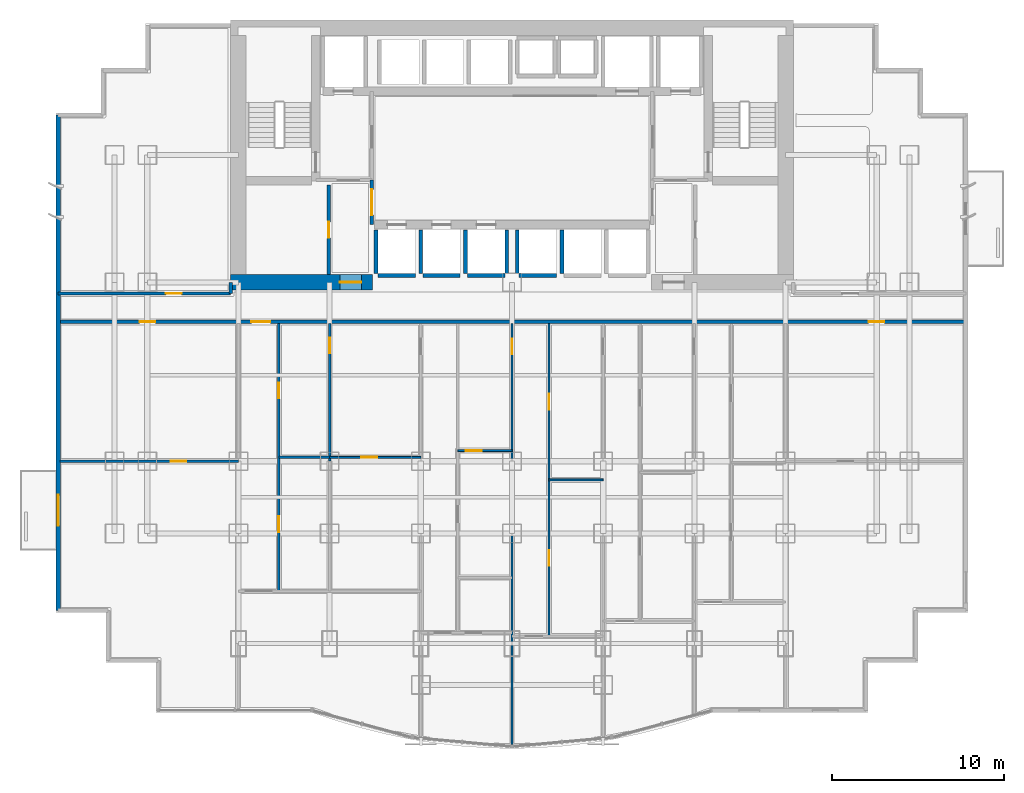
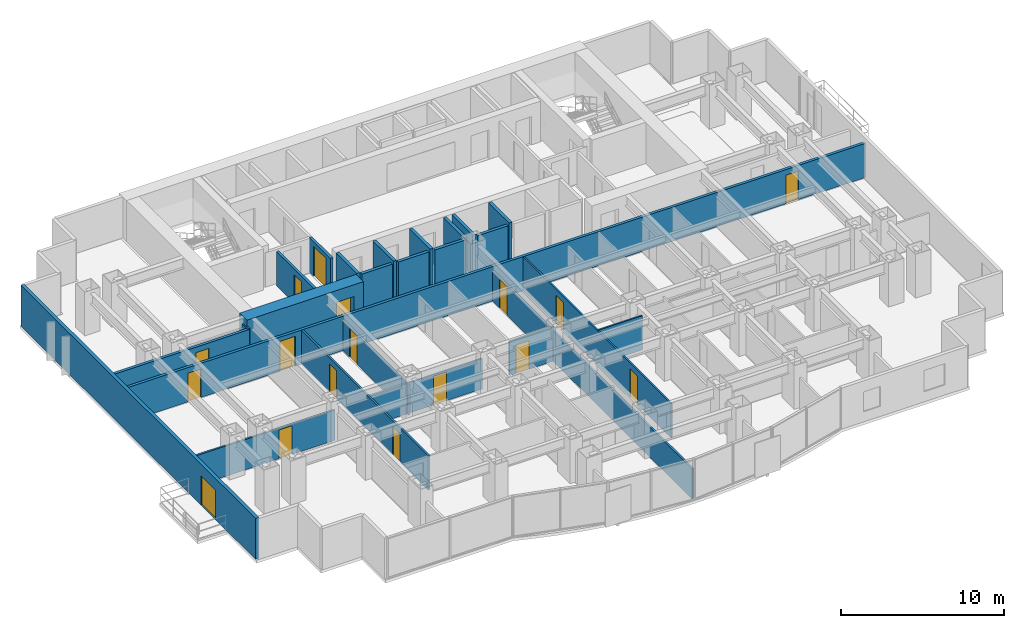
# One storey, part 5 of 10: 26 walls, 17 doors, 17 openings.
"""IFC4 building model written with IfcOpenShell, lengths in metres."""

from ifc_helpers import new_model, si_unit, direction, frame, frame_2d, origin, place, context, subcontext, project, spatial, rectangle, extrude, material, layer, layer_set, type_object, element, fill, save


model = new_model("IFC4")

# Units and contexts
model_context = context("Model", 3, precision=1e-05, world=origin(), true_north=direction((0.0, 1.0)))
body_context = subcontext(model_context, "Body", "Model", "MODEL_VIEW")
ifc_project = project(units=[si_unit("LENGTHUNIT", "METRE"), si_unit("AREAUNIT", "SQUARE_METRE"), si_unit("VOLUMEUNIT", "CUBIC_METRE"), si_unit("PLANEANGLEUNIT", "RADIAN"), si_unit("MASSUNIT", "GRAM", prefix="KILO")], contexts=[model_context])

# Site, building, storey
site_placement = place(None, origin())
site = spatial("IfcSite", under=ifc_project, at=site_placement, CompositionType="ELEMENT")
building_placement = place(site_placement, origin())
building = spatial("IfcBuilding", under=site, at=building_placement, Name="Qianlan Lanfeng Residences", CompositionType="ELEMENT")
storey_placement = place(building_placement, frame((0.0, 0.0, 60.5)))
storey = spatial("IfcBuildingStorey", under=building, at=storey_placement, Name="L16", CompositionType="ELEMENT", Elevation=60.5)

# Wall, opening, door
ifc_material_1 = material(Name="Concrete C70", Category="concrete")
ifc_layer_1 = layer(ifc_material_1, 0.89990234375)
ifc_layer_set_1 = layer_set([ifc_layer_1], Name="Concrete C70")
wall_type_1 = type_object("IfcWallType", Name="CW-RC-900", PredefinedType="SHEAR", material=ifc_layer_set_1)
wall_1_placement = place(storey_placement, frame((10.14990234375, 25.199951171875, 0.0), z_axis=(0.0, 0.0, 1.0), x_axis=(1.0, 0.0, 0.0)))
wall_1 = element("IfcWall", 1, at=wall_1_placement, inside=storey, type_object=wall_type_1, Name="L16 Core Shear Wall SW", PredefinedType="SHEAR", context=body_context, shape_type="SweptSolid", body=[
    extrude(rectangle(XDim=8.25, YDim=0.89990234375, at=frame_2d((4.125, 0.0))), origin(), (0.0, 0.0, 1.0), 3.080078125),
])
opening_1_placement = place(wall_1_placement, frame((6.35009765625, 0.0, 0.0)))
opening_1 = element("IfcOpeningElement", 2, at=opening_1_placement, cuts=wall_1, Name="Opening L16-D01", PredefinedType="OPENING", context=body_context, shape_type="SweptSolid", body=[
    extrude(rectangle(XDim=1.25, YDim=2.199951171875, at=frame_2d((0.625, 1.10009765625))), frame((0.0, 0.4599609375, 0.0), z_axis=(0.0, -1.0, 0.0), x_axis=(1.0, 0.0, 0.0)), (0.0, 0.0, 1.0), 0.919921875),
])
ifc_material_2 = material(Name="Painted Galvanised Steel Fire Door", Category="steel")
door_type_1 = type_object("IfcDoorType", Name="DT-FFL", OperationType="NOTDEFINED", PredefinedType="DOOR", material=ifc_material_2)
door_1_placement = place(opening_1_placement, frame((1.25, 0.0, 0.0), z_axis=(0.0, 0.0, 1.0), x_axis=(-1.0, 0.0, 0.0)))
door_1 = element("IfcDoor", 3, at=door_1_placement, inside=storey, type_object=door_type_1, Name="L16 West Core Lobby Smoke Door L16-D01 (DT-FFL)", OperationType="SINGLE_SWING_RIGHT", OverallHeight=2.199951171875, OverallWidth=1.25, PredefinedType="DOOR", context=body_context, shape_type="SweptSolid", body=[
    extrude(rectangle(XDim=1.25, YDim=2.199951171875, at=frame_2d((0.625, 1.10009765625))), frame((0.0, 0.02490234375, 0.0), z_axis=(0.0, -1.0, 0.0), x_axis=(1.0, 0.0, 0.0)), (0.0, 0.0, 1.0), 0.050048828125),
])
fill(opening_1, door_1)

ifc_material_3 = material(Name="Concrete C42", Category="concrete")
ifc_layer_2 = layer(ifc_material_3, 0.239990234375)
ifc_layer_set_2 = layer_set([ifc_layer_2], Name="Concrete C42")
wall_type_2 = type_object("IfcWallType", Name="EW-240", PredefinedType="SOLIDWALL", material=ifc_layer_set_2)
wall_2_placement = place(storey_placement, frame((0.1201171875, 34.929931640625, 0.0), z_axis=(0.0, 0.0, 1.0), x_axis=(0.0, -1.0, 0.0)))
wall_2 = element("IfcWall", 4, at=wall_2_placement, inside=storey, type_object=wall_type_2, Name="L16 Terrace/Balcony Access Exterior Wall 21", PredefinedType="SOLIDWALL", context=body_context, shape_type="SweptSolid", body=[
    extrude(rectangle(XDim=28.809814453125, YDim=0.239990234375, at=frame_2d((14.40478515625, 0.0))), origin(), (0.0, 0.0, 1.0), 3.080078125),
])
opening_2_placement = place(wall_2_placement, frame((22.080078125, 0.0, 0.0)))
opening_2 = element("IfcOpeningElement", 5, at=opening_2_placement, cuts=wall_2, Name="Opening L16-D-WB-S", PredefinedType="OPENING", context=body_context, shape_type="SweptSolid", body=[
    extrude(rectangle(XDim=1.800048828125, YDim=2.199951171875, at=frame_2d((0.89990234375, 1.10009765625))), frame((0.0, 0.1298828125, 0.0), z_axis=(0.0, -1.0, 0.0), x_axis=(1.0, 0.0, 0.0)), (0.0, 0.0, 1.0), 0.260009765625),
])
ifc_material_4 = material(Name="Anodised Bronze Aluminium Framed Glass", Category="aluminium")
door_type_2 = type_object("IfcDoorType", Name="DT-BAL1", OperationType="NOTDEFINED", PredefinedType="DOOR", material=ifc_material_4)
door_2_placement = place(opening_2_placement, frame((1.800048828125, 0.0, 0.0), z_axis=(0.0, 0.0, 1.0), x_axis=(-1.0, 0.0, 0.0)))
door_2 = element("IfcDoor", 6, at=door_2_placement, inside=storey, type_object=door_type_2, Name="L16 Exterior Access Door WB-S", OperationType="DOUBLE_DOOR_SLIDING", OverallHeight=2.199951171875, OverallWidth=1.800048828125, PredefinedType="DOOR", context=body_context, shape_type="SweptSolid", body=[
    extrude(rectangle(XDim=1.800048828125, YDim=2.199951171875, at=frame_2d((0.89990234375, 1.10009765625))), frame((0.0, 0.02490234375, 0.0), z_axis=(0.0, -1.0, 0.0), x_axis=(1.0, 0.0, 0.0)), (0.0, 0.0, 1.0), 0.050048828125),
])
fill(opening_2, door_2)

ifc_material_5 = material(Name="Demountable Acoustic Framing Partition 110 mm")
ifc_layer_3 = layer(ifc_material_5, 0.110107421875)
ifc_layer_set_3 = layer_set([ifc_layer_3], Name="Demountable Acoustic Framing Partition 110 mm")
wall_type_3 = type_object("IfcWallType", Name="PW-110", PredefinedType="MOVABLE", material=ifc_layer_set_3)
wall_3_placement = place(storey_placement, frame((15.89990234375, 15.02392578125, 0.0), z_axis=(0.0, 0.0, 1.0), x_axis=(1.0, 0.0, 0.0)))
wall_3 = element("IfcWall", 7, at=wall_3_placement, inside=storey, type_object=wall_type_3, Name="L16 U01 Study Split", PredefinedType="MOVABLE", context=body_context, shape_type="SweptSolid", body=[
    extrude(rectangle(XDim=5.300048828125, YDim=0.110107421875, at=frame_2d((2.64990234375, 0.0))), origin(), (0.0, 0.0, 1.0), 2.27490234375),
])
opening_3_placement = place(wall_3_placement, frame((1.840087890625, 0.0, 0.0)))
opening_3 = element("IfcOpeningElement", 8, at=opening_3_placement, cuts=wall_3, Name="Opening L16-D22", PredefinedType="OPENING", context=body_context, shape_type="SweptSolid", body=[
    extrude(rectangle(XDim=0.919921875, YDim=2.14990234375, at=frame_2d((0.4599609375, 1.074951171875))), frame((0.0, 0.06494140625, 0.0), z_axis=(0.0, -1.0, 0.0), x_axis=(1.0, 0.0, 0.0)), (0.0, 0.0, 1.0), 0.130126953125),
])
ifc_material_6 = material(Name="Glazed Timber Kitchen/Study Door", Category="wood")
door_type_3 = type_object("IfcDoorType", Name="DT-INT", OperationType="NOTDEFINED", PredefinedType="DOOR", material=ifc_material_6)
door_3_placement = place(opening_3_placement, origin())
door_3 = element("IfcDoor", 9, at=door_3_placement, inside=storey, type_object=door_type_3, Name="L16 U01 Study Inner Door L16-D22 (DT-INT)", OperationType="SINGLE_SWING_RIGHT", OverallHeight=2.14990234375, OverallWidth=0.919921875, PredefinedType="DOOR", context=body_context, shape_type="SweptSolid", body=[
    extrude(rectangle(XDim=0.919921875, YDim=2.14990234375, at=frame_2d((0.4599609375, 1.074951171875))), frame((0.0, 0.02490234375, 0.0), z_axis=(0.0, -1.0, 0.0), x_axis=(1.0, 0.0, 0.0)), (0.0, 0.0, 1.0), 0.050048828125),
])
fill(opening_3, door_3)

wall_4_placement = place(storey_placement, frame((23.35009765625, 15.4169921875, 0.0), z_axis=(0.0, 0.0, 1.0), x_axis=(1.0, 0.0, 0.0)))
wall_4 = element("IfcWall", 10, at=wall_4_placement, inside=storey, type_object=wall_type_3, Name="L16 U01 Wardrobe Split", PredefinedType="MOVABLE", context=body_context, shape_type="SweptSolid", body=[
    extrude(rectangle(XDim=3.14990234375, YDim=0.110107421875, at=frame_2d((1.574951171875, 0.0))), origin(), (0.0, 0.0, 1.0), 2.570068359375),
])
opening_4_placement = place(wall_4_placement, frame((0.465087890625, 0.0, 0.0)))
opening_4 = element("IfcOpeningElement", 11, at=opening_4_placement, cuts=wall_4, Name="Opening L16-D26", PredefinedType="OPENING", context=body_context, shape_type="SweptSolid", body=[
    extrude(rectangle(XDim=0.919921875, YDim=2.14990234375, at=frame_2d((0.4599609375, 1.074951171875))), frame((0.0, 0.06494140625, 0.0), z_axis=(0.0, -1.0, 0.0), x_axis=(1.0, 0.0, 0.0)), (0.0, 0.0, 1.0), 0.130126953125),
])
door_4_placement = place(opening_4_placement, origin())
door_4 = element("IfcDoor", 12, at=door_4_placement, inside=storey, type_object=door_type_3, Name="L16 U01 Dressing Inner Door L16-D26 (DT-INT)", OperationType="SINGLE_SWING_RIGHT", OverallHeight=2.14990234375, OverallWidth=0.919921875, PredefinedType="DOOR", context=body_context, shape_type="SweptSolid", body=[
    extrude(rectangle(XDim=0.919921875, YDim=2.14990234375, at=frame_2d((0.4599609375, 1.074951171875))), frame((0.0, 0.02490234375, 0.0), z_axis=(0.0, -1.0, 0.0), x_axis=(1.0, 0.0, 0.0)), (0.0, 0.0, 1.0), 0.050048828125),
])
fill(opening_4, door_4)

# Wall, openings, doors
wall_5_placement = place(storey_placement, frame((28.64990234375, 4.634033203125, 0.0), z_axis=(0.0, 0.0, 1.0), x_axis=(0.0, 1.0, 0.0)))
wall_5 = element("IfcWall", 13, at=wall_5_placement, inside=storey, type_object=wall_type_3, Name="L16 U01 Bedroom 3 Hall Wall", PredefinedType="MOVABLE", context=body_context, shape_type="SweptSolid", body=[
    extrude(rectangle(XDim=18.166015625, YDim=0.110107421875, at=frame_2d((9.0830078125, 0.0))), origin(), (0.0, 0.0, 1.0), 2.570068359375),
])
opening_5_placement = place(wall_5_placement, frame((4.08203125, 0.0, 0.0)))
opening_5 = element("IfcOpeningElement", 14, at=opening_5_placement, cuts=wall_5, Name="Opening L16-D28", PredefinedType="OPENING", context=body_context, shape_type="SweptSolid", body=[
    extrude(rectangle(XDim=0.919921875, YDim=2.14990234375, at=frame_2d((0.4599609375, 1.074951171875))), frame((0.0, 0.06494140625, 0.0), z_axis=(0.0, -1.0, 0.0), x_axis=(1.0, 0.0, 0.0)), (0.0, 0.0, 1.0), 0.130126953125),
])
opening_6_placement = place(wall_5_placement, frame((13.1650390625, 0.0, 0.0)))
opening_6 = element("IfcOpeningElement", 15, at=opening_6_placement, cuts=wall_5, Name="Opening L16-D29", PredefinedType="OPENING", context=body_context, shape_type="SweptSolid", body=[
    extrude(rectangle(XDim=0.919921875, YDim=2.14990234375, at=frame_2d((0.4599609375, 1.074951171875))), frame((0.0, 0.06494140625, 0.0), z_axis=(0.0, -1.0, 0.0), x_axis=(1.0, 0.0, 0.0)), (0.0, 0.0, 1.0), 0.130126953125),
])
door_5_placement = place(opening_5_placement, origin())
door_5 = element("IfcDoor", 16, at=door_5_placement, inside=storey, type_object=door_type_3, Name="L16 U01 Utility Door L16-D28 (DT-INT)", OperationType="SINGLE_SWING_RIGHT", OverallHeight=2.14990234375, OverallWidth=0.919921875, PredefinedType="DOOR", context=body_context, shape_type="SweptSolid", body=[
    extrude(rectangle(XDim=0.919921875, YDim=2.14990234375, at=frame_2d((0.4599609375, 1.074951171875))), frame((0.0, 0.02490234375, 0.0), z_axis=(0.0, -1.0, 0.0), x_axis=(1.0, 0.0, 0.0)), (0.0, 0.0, 1.0), 0.050048828125),
])
fill(opening_5, door_5)
door_6_placement = place(opening_6_placement, origin())
door_6 = element("IfcDoor", 17, at=door_6_placement, inside=storey, type_object=door_type_3, Name="L16 U01 Specialty Door L16-D29 (DT-INT)", OperationType="SINGLE_SWING_LEFT", OverallHeight=2.14990234375, OverallWidth=0.919921875, PredefinedType="DOOR", context=body_context, shape_type="SweptSolid", body=[
    extrude(rectangle(XDim=0.919921875, YDim=2.14990234375, at=frame_2d((0.4599609375, 1.074951171875))), frame((0.0, 0.02490234375, 0.0), z_axis=(0.0, -1.0, 0.0), x_axis=(1.0, 0.0, 0.0)), (0.0, 0.0, 1.0), 0.050048828125),
])
fill(opening_6, door_6)

# Wall
wall_6_placement = place(storey_placement, frame((28.64990234375, 13.717041015625, 0.0), z_axis=(0.0, 0.0, 1.0), x_axis=(1.0, 0.0, 0.0)))
element("IfcWall", 18, at=wall_6_placement, inside=storey, type_object=wall_type_3, Name="L16 U01 Specialty Split Wall", PredefinedType="MOVABLE", context=body_context, shape_type="SweptSolid", body=[
    extrude(rectangle(XDim=3.150146484375, YDim=0.110107421875, at=frame_2d((1.5751953125, 0.0))), origin(), (0.0, 0.0, 1.0), 2.570068359375),
])

# Wall, opening, door
ifc_material_7 = material(Name="Moisture-Resistant Gypsum Partition 135 mm")
ifc_layer_4 = layer(ifc_material_7, 0.135009765625)
ifc_layer_set_4 = layer_set([ifc_layer_4], Name="Moisture-Resistant Gypsum Partition 135 mm")
wall_type_4 = type_object("IfcWallType", Name="PW-135", PredefinedType="PARTITIONING", material=ifc_layer_set_4)
wall_7_placement = place(storey_placement, frame((15.89990234375, 14.800048828125, 0.0), z_axis=(0.0, 0.0, 1.0), x_axis=(0.0, 1.0, 0.0)))
wall_7 = element("IfcWall", 19, at=wall_7_placement, inside=storey, type_object=wall_type_4, Name="L16 U01 North Spine Wall", PredefinedType="PARTITIONING", context=body_context, shape_type="SweptSolid", body=[
    extrude(rectangle(XDim=8.0, YDim=0.135009765625, at=frame_2d((4.0, 0.0))), origin(), (0.0, 0.0, 1.0), 2.27490234375),
])
opening_7_placement = place(wall_7_placement, frame((6.264892578125, 0.0, 0.0)))
opening_7 = element("IfcOpeningElement", 20, at=opening_7_placement, cuts=wall_7, Name="Opening L16-D14", PredefinedType="OPENING", context=body_context, shape_type="SweptSolid", body=[
    extrude(rectangle(XDim=0.919921875, YDim=2.14990234375, at=frame_2d((0.4599609375, 1.074951171875))), frame((0.0, 0.07763671875, 0.0), z_axis=(0.0, -1.0, 0.0), x_axis=(1.0, 0.0, 0.0)), (0.0, 0.0, 1.0), 0.155029296875),
])
door_7_placement = place(opening_7_placement, origin())
door_7 = element("IfcDoor", 21, at=door_7_placement, inside=storey, type_object=door_type_3, Name="L16 U01 North Suite Door L16-D14 (DT-INT)", OperationType="SINGLE_SWING_RIGHT", OverallHeight=2.14990234375, OverallWidth=0.919921875, PredefinedType="DOOR", context=body_context, shape_type="SweptSolid", body=[
    extrude(rectangle(XDim=0.919921875, YDim=2.14990234375, at=frame_2d((0.4599609375, 1.074951171875))), frame((0.0, 0.02490234375, 0.0), z_axis=(0.0, -1.0, 0.0), x_axis=(1.0, 0.0, 0.0)), (0.0, 0.0, 1.0), 0.050048828125),
])
fill(opening_7, door_7)

wall_8_placement = place(storey_placement, frame((26.5, -1.679931640625, 0.0), z_axis=(0.0, 0.0, 1.0), x_axis=(0.0, 1.0, 0.0)))
wall_8 = element("IfcWall", 22, at=wall_8_placement, inside=storey, type_object=wall_type_4, Name="L16 U01 Bay Spine Wall 3", PredefinedType="PARTITIONING", context=body_context, shape_type="SweptSolid", body=[
    extrude(rectangle(XDim=24.47998046875, YDim=0.135009765625, at=frame_2d((12.239990234375, 0.0))), origin(), (0.0, 0.0, 1.0), 2.27490234375),
])
opening_8_placement = place(wall_8_placement, frame((22.695068359375, 0.0, 0.0)))
opening_8 = element("IfcOpeningElement", 23, at=opening_8_placement, cuts=wall_8, Name="Opening L16-D16", PredefinedType="OPENING", context=body_context, shape_type="SweptSolid", body=[
    extrude(rectangle(XDim=0.919921875, YDim=2.14990234375, at=frame_2d((0.4599609375, 1.074951171875))), frame((0.0, 0.07763671875, 0.0), z_axis=(0.0, -1.0, 0.0), x_axis=(1.0, 0.0, 0.0)), (0.0, 0.0, 1.0), 0.155029296875),
])
door_8_placement = place(opening_8_placement, origin())
door_8 = element("IfcDoor", 24, at=door_8_placement, inside=storey, type_object=door_type_3, Name="L16 U01 Internal Hall Door L16-D16 (DT-INT)", OperationType="SINGLE_SWING_RIGHT", OverallHeight=2.14990234375, OverallWidth=0.919921875, PredefinedType="DOOR", context=body_context, shape_type="SweptSolid", body=[
    extrude(rectangle(XDim=0.919921875, YDim=2.14990234375, at=frame_2d((0.4599609375, 1.074951171875))), frame((0.0, 0.02490234375, 0.0), z_axis=(0.0, -1.0, 0.0), x_axis=(1.0, 0.0, 0.0)), (0.0, 0.0, 1.0), 0.050048828125),
])
fill(opening_8, door_8)

# Wall, openings, doors
wall_9_placement = place(storey_placement, frame((12.949951171875, 7.2470703125, 0.0), z_axis=(0.0, 0.0, 1.0), x_axis=(0.0, 1.0, 0.0)))
wall_9 = element("IfcWall", 25, at=wall_9_placement, inside=storey, type_object=wall_type_4, Name="L16 U01 Kitchen/Bath Wall", PredefinedType="PARTITIONING", context=body_context, shape_type="SweptSolid", body=[
    extrude(rectangle(XDim=15.552978515625, YDim=0.135009765625, at=frame_2d((7.7763671875, 0.0))), origin(), (0.0, 0.0, 1.0), 2.570068359375),
])
opening_9_placement = place(wall_9_placement, frame((3.428955078125, 0.0, 0.0)))
opening_9 = element("IfcOpeningElement", 26, at=opening_9_placement, cuts=wall_9, Name="Opening L16-D20", PredefinedType="OPENING", context=body_context, shape_type="SweptSolid", body=[
    extrude(rectangle(XDim=0.919921875, YDim=2.14990234375, at=frame_2d((0.4599609375, 1.074951171875))), frame((0.0, 0.07763671875, 0.0), z_axis=(0.0, -1.0, 0.0), x_axis=(1.0, 0.0, 0.0)), (0.0, 0.0, 1.0), 0.155029296875),
])
opening_10_placement = place(wall_9_placement, frame((11.215087890625, 0.0, 0.0)))
opening_10 = element("IfcOpeningElement", 27, at=opening_10_placement, cuts=wall_9, Name="Opening L16-D21", PredefinedType="OPENING", context=body_context, shape_type="SweptSolid", body=[
    extrude(rectangle(XDim=0.89990234375, YDim=2.14990234375, at=frame_2d((0.449951171875, 1.074951171875))), frame((0.0, 0.07763671875, 0.0), z_axis=(0.0, -1.0, 0.0), x_axis=(1.0, 0.0, 0.0)), (0.0, 0.0, 1.0), 0.155029296875),
])
door_9_placement = place(opening_9_placement, origin())
door_9 = element("IfcDoor", 28, at=door_9_placement, inside=storey, type_object=door_type_3, Name="L16 U01 Kitchen Door L16-D20 (DT-INT)", OperationType="SINGLE_SWING_RIGHT", OverallHeight=2.14990234375, OverallWidth=0.919921875, PredefinedType="DOOR", context=body_context, shape_type="SweptSolid", body=[
    extrude(rectangle(XDim=0.919921875, YDim=2.14990234375, at=frame_2d((0.4599609375, 1.074951171875))), frame((0.0, 0.02490234375, 0.0), z_axis=(0.0, -1.0, 0.0), x_axis=(1.0, 0.0, 0.0)), (0.0, 0.0, 1.0), 0.050048828125),
])
fill(opening_9, door_9)
ifc_material_8 = material(Name="Moisture-Resistant Timber Leaf", Category="wood")
door_type_4 = type_object("IfcDoorType", Name="DT-WC", OperationType="NOTDEFINED", PredefinedType="DOOR", material=ifc_material_8)
door_10_placement = place(opening_10_placement, origin())
door_10 = element("IfcDoor", 29, at=door_10_placement, inside=storey, type_object=door_type_4, Name="L16 U01 Bathroom Door L16-D21 (DT-WC)", OperationType="SINGLE_SWING_LEFT", OverallHeight=2.14990234375, OverallWidth=0.89990234375, PredefinedType="DOOR", context=body_context, shape_type="SweptSolid", body=[
    extrude(rectangle(XDim=0.89990234375, YDim=2.14990234375, at=frame_2d((0.449951171875, 1.074951171875))), frame((0.0, 0.02490234375, 0.0), z_axis=(0.0, -1.0, 0.0), x_axis=(1.0, 0.0, 0.0)), (0.0, 0.0, 1.0), 0.050048828125),
])
fill(opening_10, door_10)

# Wall
wall_10_placement = place(storey_placement, frame((12.949951171875, 15.02392578125, 0.0), z_axis=(0.0, 0.0, 1.0), x_axis=(1.0, 0.0, 0.0)))
element("IfcWall", 30, at=wall_10_placement, inside=storey, type_object=wall_type_4, Name="L16 U01 Bath Split Wall", PredefinedType="PARTITIONING", context=body_context, shape_type="SweptSolid", body=[
    extrude(rectangle(XDim=2.949951171875, YDim=0.135009765625, at=frame_2d((1.47509765625, 0.0))), origin(), (0.0, 0.0, 1.0), 2.27490234375),
])

# Wall, opening, door
wall_11_placement = place(storey_placement, frame((0.219970703125, 14.800048828125, 0.0), z_axis=(0.0, 0.0, 1.0), x_axis=(1.0, 0.0, 0.0)))
wall_11 = element("IfcWall", 31, at=wall_11_placement, inside=storey, type_object=wall_type_4, Name="L16 SWP Mid Partition", PredefinedType="PARTITIONING", context=body_context, shape_type="SweptSolid", body=[
    extrude(rectangle(XDim=10.380126953125, YDim=0.135009765625, at=frame_2d((5.18994140625, 0.0))), origin(), (0.0, 0.0, 1.0), 2.27490234375),
])
opening_11_placement = place(wall_11_placement, frame((6.429931640625, 0.0, 0.0)))
opening_11 = element("IfcOpeningElement", 32, at=opening_11_placement, cuts=wall_11, Name="Opening L16-D36", PredefinedType="OPENING", context=body_context, shape_type="SweptSolid", body=[
    extrude(rectangle(XDim=0.919921875, YDim=2.14990234375, at=frame_2d((0.4599609375, 1.074951171875))), frame((0.0, 0.07763671875, 0.0), z_axis=(0.0, -1.0, 0.0), x_axis=(1.0, 0.0, 0.0)), (0.0, 0.0, 1.0), 0.155029296875),
])
door_11_placement = place(opening_11_placement, origin())
door_11 = element("IfcDoor", 33, at=door_11_placement, inside=storey, type_object=door_type_3, Name="L16 SWP Inner Door L16-D36 (DT-INT)", OperationType="SINGLE_SWING_RIGHT", OverallHeight=2.14990234375, OverallWidth=0.919921875, PredefinedType="DOOR", context=body_context, shape_type="SweptSolid", body=[
    extrude(rectangle(XDim=0.919921875, YDim=2.14990234375, at=frame_2d((0.4599609375, 1.074951171875))), frame((0.0, 0.02490234375, 0.0), z_axis=(0.0, -1.0, 0.0), x_axis=(1.0, 0.0, 0.0)), (0.0, 0.0, 1.0), 0.050048828125),
])
fill(opening_11, door_11)

ifc_material_9 = material(Name="Double-Layer Acoustic Gypsum Stud Wall 180 mm")
ifc_layer_5 = layer(ifc_material_9, 0.179931640625)
ifc_layer_set_5 = layer_set([ifc_layer_5], Name="Double-Layer Acoustic Gypsum Stud Wall 180 mm")
wall_type_5 = type_object("IfcWallType", Name="PW-180", PredefinedType="PARTITIONING", material=ifc_layer_set_5)
wall_12_placement = place(storey_placement, frame((15.85009765625, 25.64990234375, 0.0), z_axis=(0.0, 0.0, 1.0), x_axis=(0.0, 1.0, 0.0)))
wall_12 = element("IfcWall", 34, at=wall_12_placement, inside=storey, type_object=wall_type_5, Name="L16 Core West Service Room Wall", PredefinedType="PARTITIONING", context=body_context, shape_type="SweptSolid", body=[
    extrude(rectangle(XDim=5.2001953125, YDim=0.179931640625, at=frame_2d((2.60009765625, 0.0))), origin(), (0.0, 0.0, 1.0), 2.570068359375),
])
opening_12_placement = place(wall_12_placement, frame((2.139892578125, 0.0, 0.0)))
opening_12 = element("IfcOpeningElement", 35, at=opening_12_placement, cuts=wall_12, Name="Opening L16-D09", PredefinedType="OPENING", context=body_context, shape_type="SweptSolid", body=[
    extrude(rectangle(XDim=0.919921875, YDim=2.14990234375, at=frame_2d((0.4599609375, 1.074951171875))), frame((0.0, 0.10009765625, 0.0), z_axis=(0.0, -1.0, 0.0), x_axis=(1.0, 0.0, 0.0)), (0.0, 0.0, 1.0), 0.199951171875),
])
door_12_placement = place(opening_12_placement, origin())
door_12 = element("IfcDoor", 36, at=door_12_placement, inside=storey, type_object=door_type_3, Name="L16 Core Storage Door L16-D09 (DT-INT)", OperationType="SINGLE_SWING_LEFT", OverallHeight=2.14990234375, OverallWidth=0.919921875, PredefinedType="DOOR", context=body_context, shape_type="SweptSolid", body=[
    extrude(rectangle(XDim=0.919921875, YDim=2.14990234375, at=frame_2d((0.4599609375, 1.074951171875))), frame((0.0, 0.02490234375, 0.0), z_axis=(0.0, -1.0, 0.0), x_axis=(1.0, 0.0, 0.0)), (0.0, 0.0, 1.0), 0.050048828125),
])
fill(opening_12, door_12)

ifc_material_10 = material(Name="Autoclaved Aerated Concrete Blockwork 200 mm", Category="masonry")
ifc_layer_6 = layer(ifc_material_10, 0.199951171875)
ifc_layer_set_6 = layer_set([ifc_layer_6], Name="Autoclaved Aerated Concrete Blockwork 200 mm")
wall_type_6 = type_object("IfcWallType", Name="PW-200", PredefinedType="PARTITIONING", material=ifc_layer_set_6)
wall_13_placement = place(storey_placement, frame((18.35009765625, 28.550048828125, 0.0), z_axis=(0.0, 0.0, 1.0), x_axis=(0.0, 1.0, 0.0)))
wall_13 = element("IfcWall", 37, at=wall_13_placement, inside=storey, type_object=wall_type_6, Name="L16 Lift Lobby West Connector Wall", PredefinedType="PARTITIONING", context=body_context, shape_type="SweptSolid", body=[
    extrude(rectangle(XDim=2.599853515625, YDim=0.199951171875, at=frame_2d((1.2998046875, 0.0))), origin(), (0.0, 0.0, 1.0), 2.570068359375),
])
opening_13_placement = place(wall_13_placement, frame((0.550048828125, 0.0, 0.0)))
opening_13 = element("IfcOpeningElement", 38, at=opening_13_placement, cuts=wall_13, Name="Opening L16-D11", PredefinedType="OPENING", context=body_context, shape_type="SweptSolid", body=[
    extrude(rectangle(XDim=1.5, YDim=2.25, at=frame_2d((0.75, 1.125))), frame((0.0, 0.10986328125, 0.0), z_axis=(0.0, -1.0, 0.0), x_axis=(1.0, 0.0, 0.0)), (0.0, 0.0, 1.0), 0.219970703125),
])
ifc_material_11 = material(Name="Timber Veneer Acoustic Fire Door", Category="wood")
door_type_5 = type_object("IfcDoorType", Name="DT-COR1", OperationType="NOTDEFINED", PredefinedType="DOOR", material=ifc_material_11)
door_13_placement = place(opening_13_placement, origin())
door_13 = element("IfcDoor", 39, at=door_13_placement, inside=storey, type_object=door_type_5, Name="L16 Lift Lobby West Portal Door L16-D11 (DT-COR1)", OperationType="DOUBLE_DOOR_SINGLE_SWING", OverallHeight=2.25, OverallWidth=1.5, PredefinedType="DOOR", context=body_context, shape_type="SweptSolid", body=[
    extrude(rectangle(XDim=1.5, YDim=2.25, at=frame_2d((0.75, 1.125))), frame((0.0, 0.02490234375, 0.0), z_axis=(0.0, -1.0, 0.0), x_axis=(1.0, 0.0, 0.0)), (0.0, 0.0, 1.0), 0.050048828125),
])
fill(opening_13, door_13)

# Wall, openings, doors
wall_14_placement = place(storey_placement, frame((0.1201171875, 22.89990234375, 0.0), z_axis=(0.0, 0.0, 1.0), x_axis=(1.0, 0.0, 0.0)))
wall_14 = element("IfcWall", 40, at=wall_14_placement, inside=storey, type_object=wall_type_6, Name="L16 Residential Corridor South Fire Wall", PredefinedType="PARTITIONING", context=body_context, shape_type="SweptSolid", body=[
    extrude(rectangle(XDim=52.759765625, YDim=0.199951171875, at=frame_2d((26.3798828125, 0.0))), origin(), (0.0, 0.0, 1.0), 2.570068359375),
])
opening_14_placement = place(wall_14_placement, frame((11.22998046875, 0.0, 0.0)))
opening_14 = element("IfcOpeningElement", 41, at=opening_14_placement, cuts=wall_14, Name="Opening L16-D13", PredefinedType="OPENING", context=body_context, shape_type="SweptSolid", body=[
    extrude(rectangle(XDim=1.10009765625, YDim=2.25, at=frame_2d((0.550048828125, 1.125))), frame((0.0, 0.10986328125, 0.0), z_axis=(0.0, -1.0, 0.0), x_axis=(1.0, 0.0, 0.0)), (0.0, 0.0, 1.0), 0.219970703125),
])
opening_15_placement = place(wall_14_placement, frame((4.735107421875, 0.0, 0.0)))
opening_15 = element("IfcOpeningElement", 42, at=opening_15_placement, cuts=wall_14, Name="Opening L16-D37", PredefinedType="OPENING", context=body_context, shape_type="SweptSolid", body=[
    extrude(rectangle(XDim=0.919921875, YDim=2.14990234375, at=frame_2d((0.4599609375, 1.074951171875))), frame((0.0, 0.10986328125, 0.0), z_axis=(0.0, -1.0, 0.0), x_axis=(1.0, 0.0, 0.0)), (0.0, 0.0, 1.0), 0.219970703125),
])
opening_16_placement = place(wall_14_placement, frame((47.10498046875, 0.0, 0.0)))
opening_16 = element("IfcOpeningElement", 43, at=opening_16_placement, cuts=wall_14, Name="Opening L16-D39", PredefinedType="OPENING", context=body_context, shape_type="SweptSolid", body=[
    extrude(rectangle(XDim=0.919921875, YDim=2.14990234375, at=frame_2d((0.4599609375, 1.074951171875))), frame((0.0, 0.10986328125, 0.0), z_axis=(0.0, -1.0, 0.0), x_axis=(1.0, 0.0, 0.0)), (0.0, 0.0, 1.0), 0.219970703125),
])
door_14_placement = place(opening_15_placement, origin())
door_14 = element("IfcDoor", 44, at=door_14_placement, inside=storey, type_object=door_type_3, Name="L16 SWP Corridor Door L16-D37 (DT-INT)", OperationType="SINGLE_SWING_LEFT", OverallHeight=2.14990234375, OverallWidth=0.919921875, PredefinedType="DOOR", context=body_context, shape_type="SweptSolid", body=[
    extrude(rectangle(XDim=0.919921875, YDim=2.14990234375, at=frame_2d((0.4599609375, 1.074951171875))), frame((0.0, 0.02490234375, 0.0), z_axis=(0.0, -1.0, 0.0), x_axis=(1.0, 0.0, 0.0)), (0.0, 0.0, 1.0), 0.050048828125),
])
fill(opening_15, door_14)
door_15_placement = place(opening_16_placement, origin())
door_15 = element("IfcDoor", 45, at=door_15_placement, inside=storey, type_object=door_type_3, Name="L16 SEP Corridor Door L16-D39 (DT-INT)", OperationType="SINGLE_SWING_LEFT", OverallHeight=2.14990234375, OverallWidth=0.919921875, PredefinedType="DOOR", context=body_context, shape_type="SweptSolid", body=[
    extrude(rectangle(XDim=0.919921875, YDim=2.14990234375, at=frame_2d((0.4599609375, 1.074951171875))), frame((0.0, 0.02490234375, 0.0), z_axis=(0.0, -1.0, 0.0), x_axis=(1.0, 0.0, 0.0)), (0.0, 0.0, 1.0), 0.050048828125),
])
fill(opening_16, door_15)
ifc_material_12 = material(Name="Solid-Core Oak Veneer Fire Door")
door_type_6 = type_object("IfcDoorType", Name="DT-UNIT", OperationType="NOTDEFINED", PredefinedType="DOOR", material=ifc_material_12)
door_16_placement = place(opening_14_placement, frame((1.10009765625, 0.0, 0.0), z_axis=(0.0, 0.0, 1.0), x_axis=(-1.0, 0.0, 0.0)))
door_16 = element("IfcDoor", 46, at=door_16_placement, inside=storey, type_object=door_type_6, Name="L16 Apartment U01 Entrance Door L16-D13 (DT-UNIT)", OperationType="SINGLE_SWING_RIGHT", OverallHeight=2.25, OverallWidth=1.10009765625, PredefinedType="DOOR", context=body_context, shape_type="SweptSolid", body=[
    extrude(rectangle(XDim=1.10009765625, YDim=2.25, at=frame_2d((0.550048828125, 1.125))), frame((0.0, 0.02490234375, 0.0), z_axis=(0.0, -1.0, 0.0), x_axis=(1.0, 0.0, 0.0)), (0.0, 0.0, 1.0), 0.050048828125),
])
fill(opening_14, door_16)

# Wall, opening, door
wall_15_placement = place(storey_placement, frame((0.1201171875, 24.550048828125, 0.0), z_axis=(0.0, 0.0, 1.0), x_axis=(1.0, 0.0, 0.0)))
wall_15 = element("IfcWall", 47, at=wall_15_placement, inside=storey, type_object=wall_type_6, Name="L16 Corridor NW Wall", PredefinedType="PARTITIONING", context=body_context, shape_type="SweptSolid", body=[
    extrude(rectangle(XDim=10.02978515625, YDim=0.199951171875, at=frame_2d((5.014892578125, 0.0))), origin(), (0.0, 0.0, 1.0), 2.570068359375),
])
opening_17_placement = place(wall_15_placement, frame((6.2548828125, 0.0, 0.0)))
opening_17 = element("IfcOpeningElement", 48, at=opening_17_placement, cuts=wall_15, Name="Opening L16-D40", PredefinedType="OPENING", context=body_context, shape_type="SweptSolid", body=[
    extrude(rectangle(XDim=0.919921875, YDim=2.14990234375, at=frame_2d((0.4599609375, 1.074951171875))), frame((0.0, 0.10986328125, 0.0), z_axis=(0.0, -1.0, 0.0), x_axis=(1.0, 0.0, 0.0)), (0.0, 0.0, 1.0), 0.219970703125),
])
door_17_placement = place(opening_17_placement, origin())
door_17 = element("IfcDoor", 49, at=door_17_placement, inside=storey, type_object=door_type_3, Name="L16 WW Amenity Salon Door L16-D40 (DT-INT)", OperationType="SINGLE_SWING_RIGHT", OverallHeight=2.14990234375, OverallWidth=0.919921875, PredefinedType="DOOR", context=body_context, shape_type="SweptSolid", body=[
    extrude(rectangle(XDim=0.919921875, YDim=2.14990234375, at=frame_2d((0.4599609375, 1.074951171875))), frame((0.0, 0.02490234375, 0.0), z_axis=(0.0, -1.0, 0.0), x_axis=(1.0, 0.0, 0.0)), (0.0, 0.0, 1.0), 0.050048828125),
])
fill(opening_17, door_17)

# Walls
wall_16_placement = place(storey_placement, frame((10.14990234375, 24.550048828125, 0.0), z_axis=(0.0, 0.0, 1.0), x_axis=(0.0, 1.0, 0.0)))
element("IfcWall", 50, at=wall_16_placement, inside=storey, type_object=wall_type_6, Name="L16 NW Wing Core Return Wall", PredefinedType="PARTITIONING", context=body_context, shape_type="SweptSolid", body=[
    extrude(rectangle(XDim=0.64990234375, YDim=0.199951171875, at=frame_2d((0.324951171875, 0.0))), origin(), (0.0, 0.0, 1.0), 2.570068359375),
])
ifc_material_13 = material(Name="Concrete C49", Category="concrete")
ifc_layer_7 = layer(ifc_material_13, 0.219970703125)
ifc_layer_set_7 = layer_set([ifc_layer_7], Name="Concrete C49")
wall_type_7 = type_object("IfcWallType", Name="SHW-220", PredefinedType="SOLIDWALL", material=ifc_layer_set_7)
wall_17_placement = place(storey_placement, frame((18.60009765625, 25.719970703125, 0.0), z_axis=(0.0, 0.0, 1.0), x_axis=(0.0, 1.0, 0.0)))
element("IfcWall", 51, at=wall_17_placement, inside=storey, type_object=wall_type_7, Name="L16 Lift PL-L1 Shaft Wall W", PredefinedType="SOLIDWALL", context=body_context, shape_type="SweptSolid", body=[
    extrude(rectangle(XDim=2.530029296875, YDim=0.219970703125, at=frame_2d((1.26513671875, 0.0))), origin(), (0.0, 0.0, 1.0), 3.080078125),
])
wall_18_placement = place(storey_placement, frame((18.719970703125, 25.60009765625, 0.0), z_axis=(0.0, 0.0, 1.0), x_axis=(1.0, 0.0, 0.0)))
element("IfcWall", 52, at=wall_18_placement, inside=storey, type_object=wall_type_7, Name="L16 Lift PL-L1 Shaft Back Wall S", PredefinedType="SOLIDWALL", context=body_context, shape_type="SweptSolid", body=[
    extrude(rectangle(XDim=2.159912109375, YDim=0.219970703125, at=frame_2d((1.080078125, 0.0))), origin(), (0.0, 0.0, 1.0), 3.080078125),
])
wall_19_placement = place(storey_placement, frame((21.199951171875, 25.719970703125, 0.0), z_axis=(0.0, 0.0, 1.0), x_axis=(0.0, 1.0, 0.0)))
element("IfcWall", 53, at=wall_19_placement, inside=storey, type_object=wall_type_7, Name="L16 Lift PL-L2 Shaft Wall W", PredefinedType="SOLIDWALL", context=body_context, shape_type="SweptSolid", body=[
    extrude(rectangle(XDim=2.530029296875, YDim=0.219970703125, at=frame_2d((1.26513671875, 0.0))), origin(), (0.0, 0.0, 1.0), 3.080078125),
])
wall_20_placement = place(storey_placement, frame((21.320068359375, 25.60009765625, 0.0), z_axis=(0.0, 0.0, 1.0), x_axis=(1.0, 0.0, 0.0)))
element("IfcWall", 54, at=wall_20_placement, inside=storey, type_object=wall_type_7, Name="L16 Lift PL-L2 Shaft Back Wall S", PredefinedType="SOLIDWALL", context=body_context, shape_type="SweptSolid", body=[
    extrude(rectangle(XDim=2.159912109375, YDim=0.219970703125, at=frame_2d((1.080078125, 0.0))), origin(), (0.0, 0.0, 1.0), 3.080078125),
])
for number, where, z_axis, x_axis, name in (
    (55, (23.800048828125, 25.719970703125, 0.0), (0.0, 0.0, 1.0), (0.0, 1.0, 0.0), "L16 Lift PL-L3 Shaft Wall W"),
    (56, (26.199951171875, 25.719970703125, 0.0), (0.0, 0.0, 1.0), (0.0, 1.0, 0.0), "L16 Lift PL-L3 Shaft Wall E"),
):
    element("IfcWall", number, at=place(storey_placement, frame(where, z_axis=z_axis, x_axis=x_axis)), inside=storey, type_object=wall_type_7, Name=name, PredefinedType="SOLIDWALL", context=body_context, shape_type="SweptSolid", body=[
        extrude(rectangle(XDim=2.530029296875, YDim=0.219970703125, at=frame_2d((1.26513671875, 0.0))), origin(), (0.0, 0.0, 1.0), 3.080078125),
    ])
wall_21_placement = place(storey_placement, frame((23.919921875, 25.60009765625, 0.0), z_axis=(0.0, 0.0, 1.0), x_axis=(1.0, 0.0, 0.0)))
element("IfcWall", 57, at=wall_21_placement, inside=storey, type_object=wall_type_7, Name="L16 Lift PL-L3 Shaft Back Wall S", PredefinedType="SOLIDWALL", context=body_context, shape_type="SweptSolid", body=[
    extrude(rectangle(XDim=2.16015625, YDim=0.219970703125, at=frame_2d((1.080078125, 0.0))), origin(), (0.0, 0.0, 1.0), 3.080078125),
])
wall_22_placement = place(storey_placement, frame((26.800048828125, 25.719970703125, 0.0), z_axis=(0.0, 0.0, 1.0), x_axis=(0.0, 1.0, 0.0)))
element("IfcWall", 58, at=wall_22_placement, inside=storey, type_object=wall_type_7, Name="L16 Lift PL-M1 Shaft Wall W", PredefinedType="SOLIDWALL", context=body_context, shape_type="SweptSolid", body=[
    extrude(rectangle(XDim=2.530029296875, YDim=0.219970703125, at=frame_2d((1.26513671875, 0.0))), origin(), (0.0, 0.0, 1.0), 3.080078125),
])
wall_23_placement = place(storey_placement, frame((26.919921875, 25.60009765625, 0.0), z_axis=(0.0, 0.0, 1.0), x_axis=(1.0, 0.0, 0.0)))
element("IfcWall", 59, at=wall_23_placement, inside=storey, type_object=wall_type_7, Name="L16 Lift PL-M1 Shaft Back Wall S", PredefinedType="SOLIDWALL", context=body_context, shape_type="SweptSolid", body=[
    extrude(rectangle(XDim=2.16015625, YDim=0.219970703125, at=frame_2d((1.080078125, 0.0))), origin(), (0.0, 0.0, 1.0), 3.080078125),
])
wall_24_placement = place(storey_placement, frame((29.39990234375, 25.719970703125, 0.0), z_axis=(0.0, 0.0, 1.0), x_axis=(0.0, 1.0, 0.0)))
element("IfcWall", 60, at=wall_24_placement, inside=storey, type_object=wall_type_7, Name="L16 Lift PL-M2 Shaft Wall W", PredefinedType="SOLIDWALL", context=body_context, shape_type="SweptSolid", body=[
    extrude(rectangle(XDim=2.530029296875, YDim=0.219970703125, at=frame_2d((1.26513671875, 0.0))), origin(), (0.0, 0.0, 1.0), 3.080078125),
])

save(model, "model.ifc")
